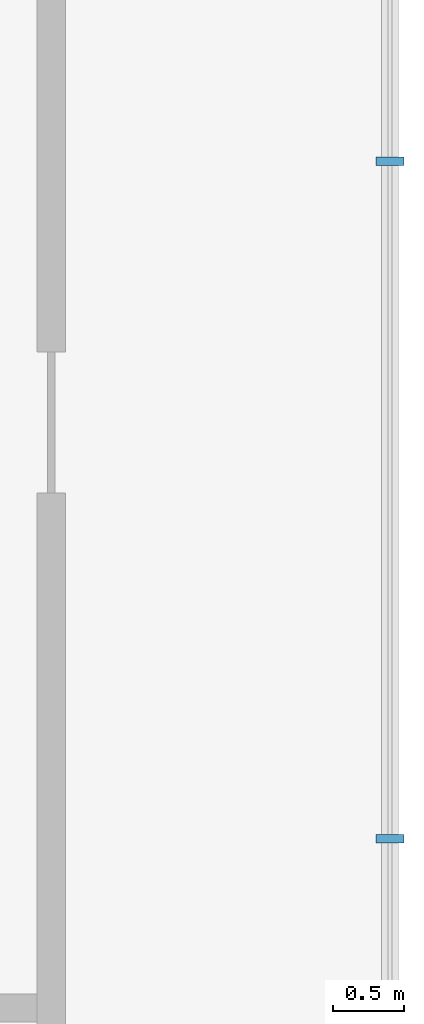
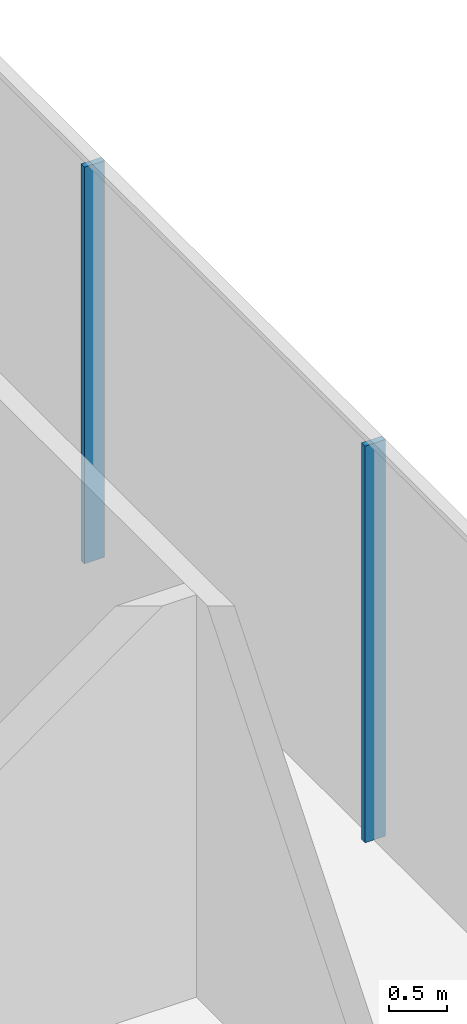
# One storey, part 16 of 38: 2 members, 1 element without a shape of its own.
"""IFC4 building model written with IfcOpenShell, lengths in metres."""

from ifc_helpers import new_model, si_unit, direction, frame, origin, origin_2d, place, context, subcontext, project, spatial, rectangle, extrude, material, layer, layer_set, material_profile, profile_set, type_object, element, aggregate, save


model = new_model("IFC4")

# Units and contexts
model_context = context("Model", 3, precision=1e-05, world=origin(), true_north=direction((0.0, 1.0)))
body_context = subcontext(model_context, "Body", "Model", "MODEL_VIEW")
ifc_project = project(units=[si_unit("LENGTHUNIT", "METRE"), si_unit("AREAUNIT", "SQUARE_METRE"), si_unit("VOLUMEUNIT", "CUBIC_METRE"), si_unit("PLANEANGLEUNIT", "RADIAN"), si_unit("MASSUNIT", "GRAM", prefix="KILO")], contexts=[model_context])

# Site, building, storey
site_placement = place(None, origin())
site = spatial("IfcSite", under=ifc_project, at=site_placement, CompositionType="ELEMENT")
building_placement = place(site_placement, origin())
building = spatial("IfcBuilding", under=site, at=building_placement, Name="Madar Terraces", CompositionType="ELEMENT")
storey_placement = place(building_placement, frame((0.0, 0.0, 15.0)))
storey = spatial("IfcBuildingStorey", under=building, at=storey_placement, Name="L03", CompositionType="ELEMENT", Elevation=15.0)

# Curtain wall, members
ifc_material_1 = material(Name="Glass, clear low-iron, with black aluminium frame", Category="aluminium")
ifc_layer = layer(ifc_material_1, 0.199951171875)
ifc_layer_set = layer_set([ifc_layer], Name="Facade curtain wall, shopfront glazing")
curtain_wall_type = type_object("IfcCurtainWallType", Name="Facade curtain wall, shopfront glazing", PredefinedType="NOTDEFINED", material=ifc_layer_set)
curtain_wall_placement = place(storey_placement, origin())
curtain_wall = element("IfcCurtainWall", 1, at=curtain_wall_placement, inside=storey, type_object=curtain_wall_type, Name="Outer skin curtain wall east bay 1", PredefinedType="NOTDEFINED")
ifc_material_2 = material(Name="Aluminium, black anodised", Category="aluminium")
ifc_material_profile = material_profile(ifc_material_2, rectangle(XDim=0.199951171875, YDim=0.06005859375, at=origin_2d()), Name="Facade mullion 60x200")
ifc_profile_set = profile_set([ifc_material_profile], Name="Aluminium, black anodised")
member_type = type_object("IfcMemberType", Name="Facade mullion 60x200", PredefinedType="MULLION", material=ifc_profile_set)
member_1_placement = place(storey_placement, frame((69.60009765625, 33.60009765625, 0.0), z_axis=(0.0, 0.0, 1.0), x_axis=(-1.0, 0.0, 0.0)))
member_1 = element("IfcMember", 2, at=member_1_placement, type_object=member_type, Name="Mullion 7", PredefinedType="MULLION", context=body_context, shape_type="SweptSolid", body=[
    extrude(rectangle(XDim=0.199951171875, YDim=0.06005859375, at=origin_2d()), origin(), (0.0, 0.0, 1.0), 4.139892578125),
])
member_2_placement = place(storey_placement, frame((69.60009765625, 38.39990234375, 0.0), z_axis=(0.0, 0.0, 1.0), x_axis=(-1.0, 0.0, 0.0)))
member_2 = element("IfcMember", 3, at=member_2_placement, type_object=member_type, Name="Mullion 8", PredefinedType="MULLION", context=body_context, shape_type="SweptSolid", body=[
    extrude(rectangle(XDim=0.199951171875, YDim=0.06005859375, at=origin_2d()), origin(), (0.0, 0.0, 1.0), 4.139892578125),
])
aggregate(curtain_wall, [member_1, member_2])

save(model, "model.ifc")
